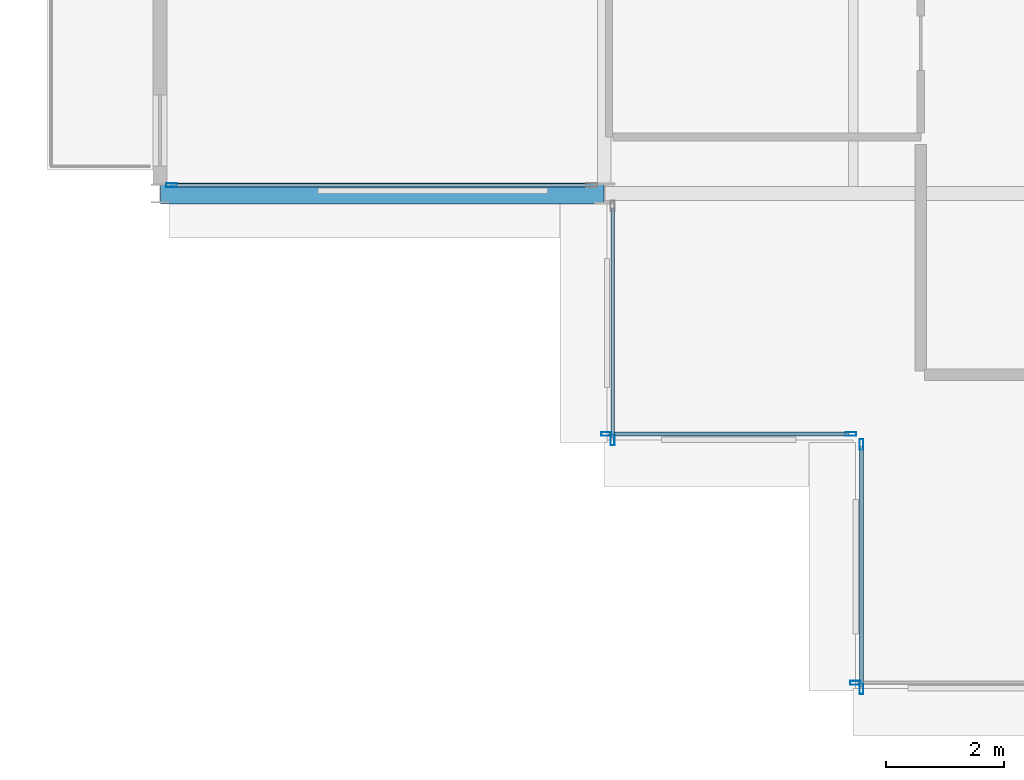
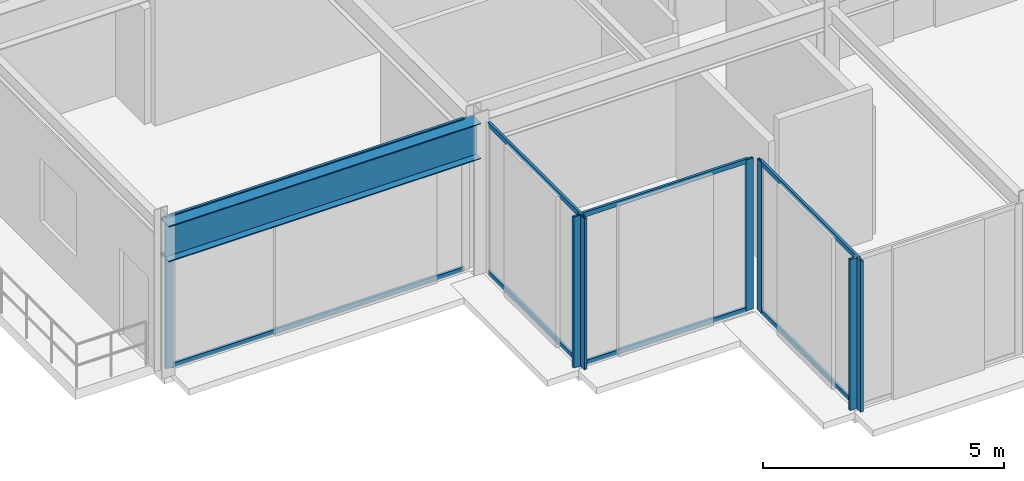
# One storey, part 3 of 29: 15 members, 1 beam, 5 elements without a shape of their own.
"""IFC4 building model written with IfcOpenShell, lengths in metres."""

from ifc_helpers import new_model, si_unit, direction, frame, origin, origin_2d, place, context, subcontext, project, spatial, hollow_rectangle, i_section, extrude, material, layer, layer_set, material_profile, profile_set, type_object, element, aggregate, save


model = new_model("IFC4")

# Units and contexts
model_context = context("Model", 3, precision=1e-05, world=origin(), true_north=direction((0.0, 1.0)))
body_context = subcontext(model_context, "Body", "Model", "MODEL_VIEW")
ifc_project = project(units=[si_unit("LENGTHUNIT", "METRE"), si_unit("AREAUNIT", "SQUARE_METRE"), si_unit("VOLUMEUNIT", "CUBIC_METRE"), si_unit("PLANEANGLEUNIT", "RADIAN"), si_unit("MASSUNIT", "GRAM", prefix="KILO")], contexts=[model_context])

# Site, building, storey
site_placement = place(None, origin())
site = spatial("IfcSite", under=ifc_project, at=site_placement, CompositionType="ELEMENT")
building_placement = place(site_placement, origin())
building = spatial("IfcBuilding", under=site, at=building_placement, Name="Nerrivon Quay Data Exchange", CompositionType="ELEMENT")
storey_placement = place(building_placement, frame((0.0, 0.0, 204.199951171875)))
storey = spatial("IfcBuildingStorey", under=building, at=storey_placement, Name="L48", CompositionType="ELEMENT", Elevation=204.199951171875)

# Beam
ifc_material_1 = material(Name="Steel Grade 350", Category="steel")
ifc_material_profile_1 = material_profile(ifc_material_1, i_section(OverallWidth=0.35009765625, OverallDepth=0.909912109375, WebThickness=0.011962890625, FlangeThickness=0.02490234375, at=origin_2d()), Name="900WB218")
ifc_profile_set_1 = profile_set([ifc_material_profile_1], Name="Steel Grade 350")
beam_type = type_object("IfcBeamType", Name="BM-CANT-900WB", PredefinedType="USERDEFINED", material=ifc_profile_set_1)
beam_placement = place(storey_placement, frame((-0.010009765625, 8.39990234375, 3.3701171875), z_axis=(-1.0, 0.0, 0.0), x_axis=(0.0, -1.0, 0.0)))
element("IfcBeam", 1, at=beam_placement, inside=storey, type_object=beam_type, Name="L48 West Hooked Cantilever Girder Y=8.4", ObjectType="TRANSFER", PredefinedType="USERDEFINED", context=body_context, shape_type="SweptSolid", body=[
    extrude(i_section(OverallWidth=0.35009765625, OverallDepth=0.909912109375, WebThickness=0.011962890625, FlangeThickness=0.02490234375, at=origin_2d()), origin(), (0.0, 0.0, 1.0), 7.482177734375),
])

# Curtain wall, member
ifc_material_2 = material(Name="Anodised aluminium 6063-T6", Category="aluminium")
ifc_layer_1 = layer(ifc_material_2, 0.195068359375)
ifc_layer_set_1 = layer_set([ifc_layer_1], Name="Anodised aluminium 6063-T6")
curtain_wall_type_1 = type_object("IfcCurtainWallType", Name="CW-SYS-06", PredefinedType="NOTDEFINED", material=ifc_layer_set_1)
curtain_wall_1_placement = place(storey_placement, origin())
curtain_wall_1 = element("IfcCurtainWall", 2, at=curtain_wall_1_placement, inside=storey, type_object=curtain_wall_type_1, Name="L48 Unitised Curtain Wall 28", PredefinedType="NOTDEFINED")
ifc_material_profile_2 = material_profile(ifc_material_2, hollow_rectangle(XDim=0.06494140625, YDim=0.179931640625, WallThickness=0.00341796875, at=origin_2d()), Name="ALU-MULL-180x65")
ifc_profile_set_2 = profile_set([ifc_material_profile_2], Name="Anodised aluminium 6063-T6")
member_type_1 = type_object("IfcMemberType", Name="CWM-180x65", PredefinedType="MULLION", material=ifc_profile_set_2)
member_1_placement = place(storey_placement, frame((4.237548828125, 0.139892578125, 0.0), z_axis=(0.0, 0.0, 1.0), x_axis=(0.0, -1.0, 0.0)))
member_1 = element("IfcMember", 3, at=member_1_placement, type_object=member_type_1, Name="CW06 mullion 2", PredefinedType="MULLION", context=body_context, shape_type="SweptSolid", body=[
    extrude(hollow_rectangle(XDim=0.06494140625, YDim=0.179931640625, WallThickness=0.00341796875, at=origin_2d()), origin(), (0.0, 0.0, 1.0), 3.824951171875),
])
aggregate(curtain_wall_1, [member_1])

# Curtain wall, members
curtain_wall_2_placement = place(storey_placement, origin())
curtain_wall_2 = element("IfcCurtainWall", 4, at=curtain_wall_2_placement, inside=storey, type_object=curtain_wall_type_1, Name="L48 Unitised Curtain Wall 29", PredefinedType="NOTDEFINED")
member_2_placement = place(storey_placement, frame((4.340087890625, 0.03759765625, 0.0), z_axis=(0.0, 0.0, 1.0), x_axis=(-1.0, 0.0, 0.0)))
member_2 = element("IfcMember", 5, at=member_2_placement, type_object=member_type_1, Name="CW06 mullion 1", PredefinedType="MULLION", context=body_context, shape_type="SweptSolid", body=[
    extrude(hollow_rectangle(XDim=0.06494140625, YDim=0.179931640625, WallThickness=0.00341796875, at=origin_2d()), origin(), (0.0, 0.0, 1.0), 3.824951171875),
])
member_3_placement = place(storey_placement, frame((4.340087890625, 4.16259765625, 0.0), z_axis=(0.0, 0.0, 1.0), x_axis=(-1.0, 0.0, 0.0)))
member_3 = element("IfcMember", 6, at=member_3_placement, type_object=member_type_1, Name="CW06 mullion 2", PredefinedType="MULLION", context=body_context, shape_type="SweptSolid", body=[
    extrude(hollow_rectangle(XDim=0.06494140625, YDim=0.179931640625, WallThickness=0.00341796875, at=origin_2d()), origin(), (0.0, 0.0, 1.0), 3.824951171875),
])

curtain_wall_3_placement = place(storey_placement, origin())
curtain_wall_3 = element("IfcCurtainWall", 7, at=curtain_wall_3_placement, inside=storey, type_object=curtain_wall_type_1, Name="L48 Unitised Curtain Wall 30", PredefinedType="NOTDEFINED")
member_4_placement = place(storey_placement, frame((4.16259765625, 4.340087890625, 0.0), z_axis=(0.0, 0.0, 1.0), x_axis=(0.0, -1.0, 0.0)))
member_4 = element("IfcMember", 8, at=member_4_placement, type_object=member_type_1, Name="CW06 mullion 1", PredefinedType="MULLION", context=body_context, shape_type="SweptSolid", body=[
    extrude(hollow_rectangle(XDim=0.06494140625, YDim=0.179931640625, WallThickness=0.00341796875, at=origin_2d()), origin(), (0.0, 0.0, 1.0), 3.824951171875),
])
member_5_placement = place(storey_placement, frame((0.03759765625, 4.340087890625, 0.0), z_axis=(0.0, 0.0, 1.0), x_axis=(0.0, -1.0, 0.0)))
member_5 = element("IfcMember", 9, at=member_5_placement, type_object=member_type_1, Name="CW06 mullion 2", PredefinedType="MULLION", context=body_context, shape_type="SweptSolid", body=[
    extrude(hollow_rectangle(XDim=0.06494140625, YDim=0.179931640625, WallThickness=0.00341796875, at=origin_2d()), origin(), (0.0, 0.0, 1.0), 3.824951171875),
])

# Curtain wall, member
curtain_wall_4_placement = place(storey_placement, origin())
curtain_wall_4 = element("IfcCurtainWall", 10, at=curtain_wall_4_placement, inside=storey, type_object=curtain_wall_type_1, Name="L48 Unitised Curtain Wall 31", PredefinedType="NOTDEFINED")
member_6_placement = place(storey_placement, frame((0.139892578125, 4.237548828125, 0.0), z_axis=(0.0, 0.0, 1.0), x_axis=(-1.0, 0.0, 0.0)))
member_6 = element("IfcMember", 11, at=member_6_placement, type_object=member_type_1, Name="CW06 mullion 1", PredefinedType="MULLION", context=body_context, shape_type="SweptSolid", body=[
    extrude(hollow_rectangle(XDim=0.06494140625, YDim=0.179931640625, WallThickness=0.00341796875, at=origin_2d()), origin(), (0.0, 0.0, 1.0), 3.824951171875),
])

ifc_layer_2 = layer(ifc_material_2, 0.199951171875)
ifc_layer_set_2 = layer_set([ifc_layer_2], Name="Anodised aluminium 6063-T6")
curtain_wall_type_2 = type_object("IfcCurtainWallType", Name="CW-SYS-04", PredefinedType="NOTDEFINED", material=ifc_layer_set_2)
curtain_wall_5_placement = place(storey_placement, origin())
curtain_wall_5 = element("IfcCurtainWall", 12, at=curtain_wall_5_placement, inside=storey, type_object=curtain_wall_type_2, Name="L48 Unitised Curtain Wall 32", PredefinedType="NOTDEFINED")
member_7_placement = place(storey_placement, frame((-7.306884765625, 8.5400390625, 0.0), z_axis=(0.0, 0.0, 1.0), x_axis=(0.0, -1.0, 0.0)))
member_7 = element("IfcMember", 13, at=member_7_placement, type_object=member_type_1, Name="CW04 mullion 2", PredefinedType="MULLION", context=body_context, shape_type="SweptSolid", body=[
    extrude(hollow_rectangle(XDim=0.06494140625, YDim=0.179931640625, WallThickness=0.00341796875, at=origin_2d()), origin(), (0.0, 0.0, 1.0), 3.824951171875),
])

# Member
ifc_material_profile_3 = material_profile(ifc_material_2, hollow_rectangle(XDim=0.06005859375, YDim=0.1201171875, WallThickness=0.003173828125, at=origin_2d()), Name="ALU-TRAN-120x60")
ifc_profile_set_3 = profile_set([ifc_material_profile_3], Name="Anodised aluminium 6063-T6")
member_type_2 = type_object("IfcMemberType", Name="CWT-120x60", PredefinedType="USERDEFINED", material=ifc_profile_set_3)
member_8_placement = place(storey_placement, frame((4.340087890625, 0.074951171875, 0.032470703125), z_axis=(0.0, 1.0, 0.0), x_axis=(-1.0, 0.0, 0.0)))
member_8 = element("IfcMember", 14, at=member_8_placement, type_object=member_type_2, Name="CW06 transom 1.1", ObjectType="TRANSOM", PredefinedType="USERDEFINED", context=body_context, shape_type="SweptSolid", body=[
    extrude(hollow_rectangle(XDim=0.06005859375, YDim=0.1201171875, WallThickness=0.003173828125, at=origin_2d()), origin(), (0.0, 0.0, 1.0), 4.050048828125),
])

member_9_placement = place(storey_placement, frame((4.340087890625, 0.074951171875, 3.79248046875), z_axis=(0.0, 1.0, 0.0), x_axis=(-1.0, 0.0, 0.0)))
member_9 = element("IfcMember", 15, at=member_9_placement, type_object=member_type_2, Name="CW06 transom 1.2", ObjectType="TRANSOM", PredefinedType="USERDEFINED", context=body_context, shape_type="SweptSolid", body=[
    extrude(hollow_rectangle(XDim=0.06005859375, YDim=0.1201171875, WallThickness=0.003173828125, at=origin_2d()), origin(), (0.0, 0.0, 1.0), 4.050048828125),
])

aggregate(curtain_wall_2, [member_2, member_3, member_8, member_9])

member_10_placement = place(storey_placement, frame((4.125, 4.340087890625, 0.032470703125), z_axis=(-1.0, 0.0, 0.0), x_axis=(0.0, -1.0, 0.0)))
member_10 = element("IfcMember", 16, at=member_10_placement, type_object=member_type_2, Name="CW06 transom 1.1", ObjectType="TRANSOM", PredefinedType="USERDEFINED", context=body_context, shape_type="SweptSolid", body=[
    extrude(hollow_rectangle(XDim=0.06005859375, YDim=0.1201171875, WallThickness=0.003173828125, at=origin_2d()), origin(), (0.0, 0.0, 1.0), 4.050048828125),
])

member_11_placement = place(storey_placement, frame((4.125, 4.340087890625, 3.79248046875), z_axis=(-1.0, 0.0, 0.0), x_axis=(0.0, -1.0, 0.0)))
member_11 = element("IfcMember", 17, at=member_11_placement, type_object=member_type_2, Name="CW06 transom 1.2", ObjectType="TRANSOM", PredefinedType="USERDEFINED", context=body_context, shape_type="SweptSolid", body=[
    extrude(hollow_rectangle(XDim=0.06005859375, YDim=0.1201171875, WallThickness=0.003173828125, at=origin_2d()), origin(), (0.0, 0.0, 1.0), 4.050048828125),
])

aggregate(curtain_wall_3, [member_4, member_5, member_10, member_11])

member_12_placement = place(storey_placement, frame((0.139892578125, 4.27490234375, 0.032470703125), z_axis=(0.0, 1.0, 0.0), x_axis=(-1.0, 0.0, 0.0)))
member_12 = element("IfcMember", 18, at=member_12_placement, type_object=member_type_2, Name="CW06 transom 1.1", ObjectType="TRANSOM", PredefinedType="USERDEFINED", context=body_context, shape_type="SweptSolid", body=[
    extrude(hollow_rectangle(XDim=0.06005859375, YDim=0.1201171875, WallThickness=0.003173828125, at=origin_2d()), origin(), (0.0, 0.0, 1.0), 3.875),
])

member_13_placement = place(storey_placement, frame((0.139892578125, 4.27490234375, 3.79248046875), z_axis=(0.0, 1.0, 0.0), x_axis=(-1.0, 0.0, 0.0)))
member_13 = element("IfcMember", 19, at=member_13_placement, type_object=member_type_2, Name="CW06 transom 1.2", ObjectType="TRANSOM", PredefinedType="USERDEFINED", context=body_context, shape_type="SweptSolid", body=[
    extrude(hollow_rectangle(XDim=0.06005859375, YDim=0.1201171875, WallThickness=0.003173828125, at=origin_2d()), origin(), (0.0, 0.0, 1.0), 3.875),
])

aggregate(curtain_wall_4, [member_6, member_12, member_13])

member_14_placement = place(storey_placement, frame((-0.25, 8.5400390625, 0.032470703125), z_axis=(-1.0, 0.0, 0.0), x_axis=(0.0, -1.0, 0.0)))
member_14 = element("IfcMember", 20, at=member_14_placement, type_object=member_type_2, Name="CW04 transom 1.1", ObjectType="TRANSOM", PredefinedType="USERDEFINED", context=body_context, shape_type="SweptSolid", body=[
    extrude(hollow_rectangle(XDim=0.06005859375, YDim=0.1201171875, WallThickness=0.003173828125, at=origin_2d()), origin(), (0.0, 0.0, 1.0), 7.01953125),
])

member_15_placement = place(storey_placement, frame((-0.25, 8.5400390625, 3.79248046875), z_axis=(-1.0, 0.0, 0.0), x_axis=(0.0, -1.0, 0.0)))
member_15 = element("IfcMember", 21, at=member_15_placement, type_object=member_type_2, Name="CW04 transom 1.2", ObjectType="TRANSOM", PredefinedType="USERDEFINED", context=body_context, shape_type="SweptSolid", body=[
    extrude(hollow_rectangle(XDim=0.06005859375, YDim=0.1201171875, WallThickness=0.003173828125, at=origin_2d()), origin(), (0.0, 0.0, 1.0), 7.01953125),
])

aggregate(curtain_wall_5, [member_7, member_14, member_15])

save(model, "model.ifc")
